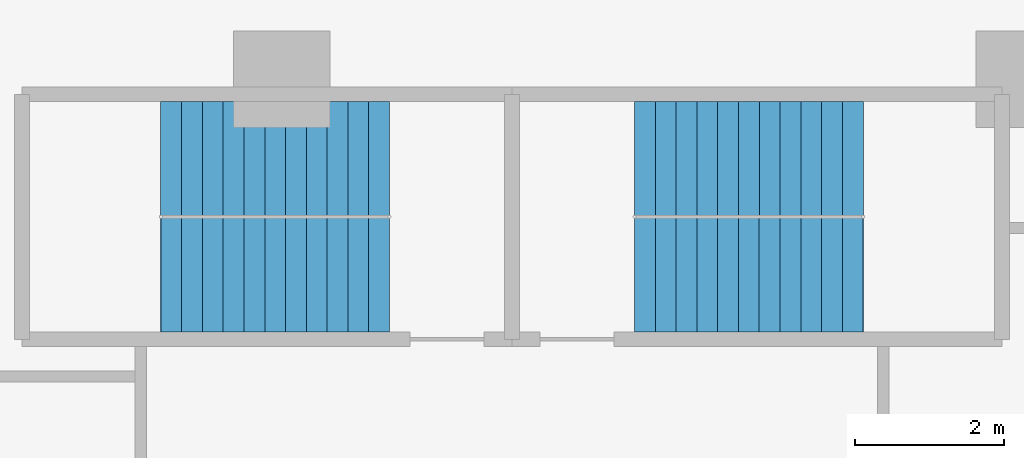
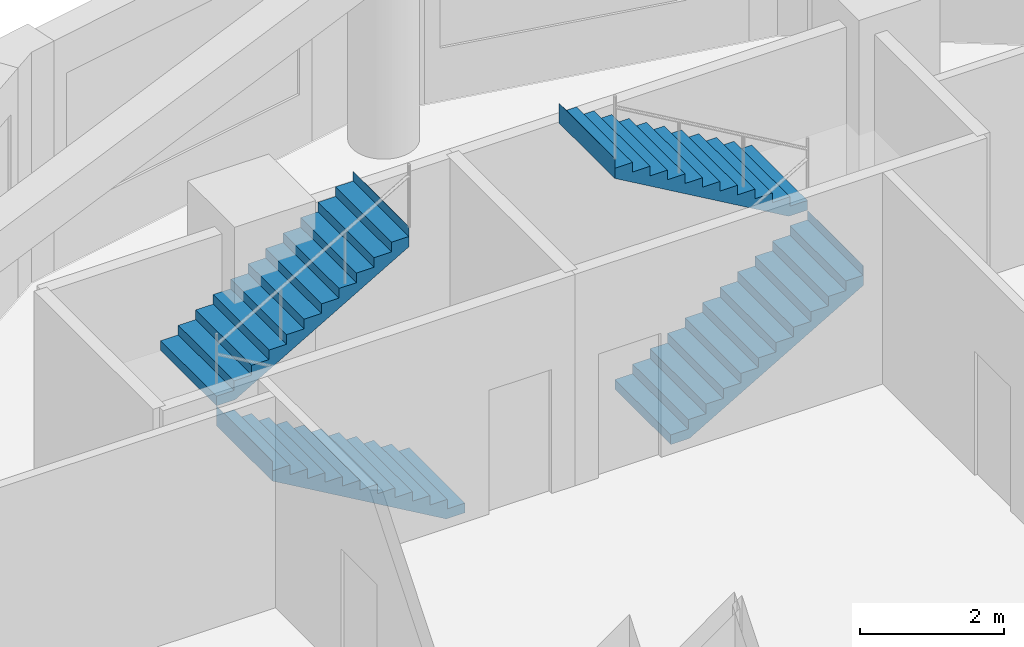
# One storey, part 7 of 9: 4 stair flights, 2 elements without a shape of their own.
"""IFC4 building model written with IfcOpenShell, lengths in metres."""

import ifcopenshell
import ifcopenshell.guid

model = None  # the IFC model being written
_history = None  # IfcOwnerHistory: only IFC2X3 demands one
_inside = {}  # id of a spatial element -> (the spatial element, [elements in it])
_under = {}  # id of a project, library or spatial element -> (it, [spatial elements below it])
_declared = {}  # id of a project -> (the project, [libraries it declares])
_typed = {}  # id of a type object -> (the type object, [elements of that type])
_made_of = {}  # id of a material, layer set ... -> (it, [elements and type objects made of it])


def new_model(schema):
    """Start an empty IFC model of exactly this schema.

    Asked for "IFC4X3", IfcOpenShell would pick the latest addendum, in which some entities
    have other attributes; the version numbers below select the first issue.
    IFC2X3 requires an IfcOwnerHistory on every rooted entity: one is made here for all.
    """
    global model, _history
    if schema == "IFC4X3":
        model = ifcopenshell.file(schema_version=(4, 3, 0, 0))
    else:
        model = ifcopenshell.file(schema=schema)
    _inside.clear()
    _under.clear()
    _declared.clear()
    _typed.clear()
    _made_of.clear()
    _history = None
    if model.schema == "IFC2X3":
        org = make("IfcOrganization", Name="unknown")
        user = make(
            "IfcPersonAndOrganization",
            ThePerson=make("IfcPerson", FamilyName="unknown"),
            TheOrganization=org,
        )
        app = make(
            "IfcApplication",
            ApplicationDeveloper=org,
            Version="unknown",
            ApplicationFullName="unknown",
            ApplicationIdentifier="unknown",
        )
        _history = make(
            "IfcOwnerHistory",
            OwningUser=user,
            OwningApplication=app,
            ChangeAction="ADDED",
            CreationDate=0,
        )
    return model


def make(cls, **values):
    """One entity of the class cls with the attributes given. An attribute that is None is left unset."""
    return model.create_entity(
        cls, **{name: value for name, value in values.items() if value is not None}
    )


def rooted(cls, **values):
    """An entity with a GlobalId (a new one), such as an element, a storey or a relation."""
    return make(cls, GlobalId=ifcopenshell.guid.new(), OwnerHistory=_history, **values)


def si_unit(unit_type, name, prefix=None):
    """IfcSIUnit, for example si_unit("LENGTHUNIT", "METRE", prefix="MILLI")."""
    return make("IfcSIUnit", UnitType=unit_type, Prefix=prefix, Name=name)


def assignment(units):
    """IfcUnitAssignment: the units of a project."""
    return None if units is None else make("IfcUnitAssignment", Units=units)


def point(xyz):
    """IfcCartesianPoint."""
    return None if xyz is None else make("IfcCartesianPoint", Coordinates=xyz)


def direction(xyz):
    """IfcDirection."""
    return None if xyz is None else make("IfcDirection", DirectionRatios=xyz)


def frame(location, z_axis=None, x_axis=None):
    """IfcAxis2Placement3D, a coordinate frame: its origin and axes. An axis left out is left unset."""
    return make(
        "IfcAxis2Placement3D",
        Location=point(location),
        Axis=direction(z_axis),
        RefDirection=direction(x_axis),
    )


def origin():
    """The frame at (0, 0, 0) with its axes left unset."""
    return frame((0.0, 0.0, 0.0))


def place(relative_to, where):
    """IfcLocalPlacement: puts the frame where relative to a parent placement (None: the world)."""
    return make(
        "IfcLocalPlacement", PlacementRelTo=relative_to, RelativePlacement=where
    )


def context(
    kind, dimensions, precision=None, world=None, true_north=None, identifier=None
):
    """IfcGeometricRepresentationContext, for example the 3D "Model" context."""
    return make(
        "IfcGeometricRepresentationContext",
        ContextIdentifier=identifier,
        ContextType=kind,
        CoordinateSpaceDimension=dimensions,
        Precision=precision,
        WorldCoordinateSystem=world,
        TrueNorth=true_north,
    )


def subcontext(parent, identifier, kind, view, scale=None):
    """IfcGeometricRepresentationSubContext, for example "Body" below "Model"."""
    return make(
        "IfcGeometricRepresentationSubContext",
        ContextIdentifier=identifier,
        ContextType=kind,
        ParentContext=parent,
        TargetScale=scale,
        TargetView=view,
    )


def project(units=None, contexts=None):
    """IfcProject with its units and contexts."""
    return rooted(
        "IfcProject",
        Name="project",
        RepresentationContexts=contexts,
        UnitsInContext=assignment(units),
    )


def spatial(cls, under=None, at=None, **own):
    """A site, building, storey or space (cls), placed at a placement, below another one or the project."""
    s = rooted(cls, ObjectPlacement=at, **own)
    if under is not None:
        _under.setdefault(under.id(), (under, []))[1].append(s)
    return s


def polyline(points):
    """IfcPolyline through the points."""
    return make("IfcPolyline", Points=[point(p) for p in points])


def outline(outer, holes=None, kind="AREA"):
    """IfcArbitraryClosedProfileDef: a profile drawn as a closed curve; with holes, ...WithVoids."""
    if holes is None:
        return make("IfcArbitraryClosedProfileDef", ProfileType=kind, OuterCurve=outer)
    return make(
        "IfcArbitraryProfileDefWithVoids",
        ProfileType=kind,
        OuterCurve=outer,
        InnerCurves=holes,
    )


def extrude(swept, where, along, depth):
    """IfcExtrudedAreaSolid: the profile swept, set in the frame where, extruded along a direction by depth."""
    return make(
        "IfcExtrudedAreaSolid",
        SweptArea=swept,
        Position=where,
        ExtrudedDirection=direction(along),
        Depth=depth,
    )


def shape(context_of_items, identifier, shape_type, items):
    """IfcShapeRepresentation: the items that make up one representation, for example the "Body"."""
    return make(
        "IfcShapeRepresentation",
        ContextOfItems=context_of_items,
        RepresentationIdentifier=identifier,
        RepresentationType=shape_type,
        Items=items,
    )


def material(Name=None, Category=None):
    """IfcMaterial."""
    return make("IfcMaterial", Name=Name, Category=Category)


def made_of(thing, what):
    """Note that an element or type object is made of a material, layer set ...; save() writes the relation."""
    if what is not None:
        _made_of.setdefault(what.id(), (what, []))[1].append(thing)
    return thing


def type_object(cls, material=None, **own):
    """A type object (cls), such as IfcWallType, which elements share."""
    return made_of(rooted(cls, **own), material)


def element(
    cls,
    number,
    at=None,
    inside=None,
    cuts=None,
    type_object=None,
    material=None,
    context=None,
    identifier="Body",
    shape_type=None,
    held_by="IfcProductDefinitionShape",
    body=None,
    shapes=None,
    **own,
):
    """One element of the class cls, such as IfcWall. Its Tag is "e" and its number.

    at: its placement. inside: the storey or other place that contains it. cuts: it is an
    opening in that element (IfcRelVoidsElement). A single representation is given by context,
    identifier, shape_type and body (its items); several are given by shapes. held_by: the class
    of the entity that holds the representations. save() writes the other relations.
    """
    e = rooted(cls, Tag="e%d" % number, ObjectPlacement=at, **own)
    if body is not None:
        shapes = [shape(context, identifier, shape_type, body)]
    if shapes is not None:
        e.Representation = make(held_by, Representations=shapes)
    if inside is not None:
        _inside.setdefault(inside.id(), (inside, []))[1].append(e)
    if cuts is not None:
        rooted(
            "IfcRelVoidsElement", RelatingBuildingElement=cuts, RelatedOpeningElement=e
        )
    if type_object is not None:
        _typed.setdefault(type_object.id(), (type_object, []))[1].append(e)
    return made_of(e, material)


def aggregate(whole, parts):
    """IfcRelAggregates: a whole, such as a stair, and the parts it consists of."""
    return rooted("IfcRelAggregates", RelatingObject=whole, RelatedObjects=parts)


def save(model, path):
    """Write the relations noted so far, then the file.

    IfcRelAggregates (storeys below a building ...), IfcRelContainedInSpatialStructure (elements
    in a storey), IfcRelDefinesByType, IfcRelAssociatesMaterial and IfcRelDeclares: one each for
    every whole, place, type object, material and project.
    """
    for whole, parts in _under.values():
        aggregate(whole, parts)
    for where, things in _inside.values():
        rooted(
            "IfcRelContainedInSpatialStructure",
            RelatedElements=things,
            RelatingStructure=where,
        )
    for kind, things in _typed.values():
        rooted("IfcRelDefinesByType", RelatedObjects=things, RelatingType=kind)
    for what, things in _made_of.values():
        rooted("IfcRelAssociatesMaterial", RelatedObjects=things, RelatingMaterial=what)
    for by, libraries in _declared.values():
        rooted("IfcRelDeclares", RelatingContext=by, RelatedDefinitions=libraries)
    model.write(path)


model = new_model("IFC4")

# Units and contexts
model_context = context("Model", 3, precision=1e-05, world=origin(), true_north=direction((0.0, 1.0)))
body_context = subcontext(model_context, "Body", "Model", "MODEL_VIEW")
ifc_project = project(units=[si_unit("LENGTHUNIT", "METRE"), si_unit("AREAUNIT", "SQUARE_METRE"), si_unit("VOLUMEUNIT", "CUBIC_METRE"), si_unit("PLANEANGLEUNIT", "RADIAN"), si_unit("MASSUNIT", "GRAM", prefix="KILO")], contexts=[model_context])

# Site, building, storey
site_placement = place(None, origin())
site = spatial("IfcSite", under=ifc_project, at=site_placement, CompositionType="ELEMENT")
building_placement = place(site_placement, origin())
building = spatial("IfcBuilding", under=site, at=building_placement, Name="Qaws Garden Tower", CompositionType="ELEMENT")
storey_placement = place(building_placement, frame((0.0, 0.0, 194.10009765625)))
storey = spatial("IfcBuildingStorey", under=building, at=storey_placement, Name="L47", CompositionType="ELEMENT", Elevation=194.10009765625)

# Stair, stair flights
ifc_material_1 = material(Name="Concrete C40", Category="concrete")
stair_type = type_object("IfcStairType", Name="Exit stair 1350", PredefinedType="HALF_TURN_STAIR", material=ifc_material_1)
placement = place(storey_placement, origin())
stair_1 = element("IfcStair", 1, at=placement, inside=storey, type_object=stair_type, Name="Stair 6", PredefinedType="HALF_TURN_STAIR")
ifc_material_2 = material(Name="Concrete C40", Category="concrete")
stair_flight_type = type_object("IfcStairFlightType", Name="Stair flight 1350", PredefinedType="STRAIGHT", material=ifc_material_2)
stair_flight_1_placement = place(storey_placement, frame((11.449951171875, 67.375, 0.0), z_axis=(0.0, 0.0, 1.0), x_axis=(-1.0, 0.0, 0.0)))
stair_flight_1 = element("IfcStairFlight", 2, at=stair_flight_1_placement, type_object=stair_flight_type, Name="ST6 flight 1", NumberOfRisers=12, NumberOfTreads=11, PredefinedType="STRAIGHT", RiserHeight=0.1625, TreadLength=0.28, context=body_context, shape_type="SweptSolid", body=[
    extrude(outline(polyline([(-0.0029296875, 0.0), (-0.0029296875, 0.16259765625), (0.0, 0.16259765625), (0.280029296875, 0.16259765625), (0.280029296875, 0.324951171875), (0.56005859375, 0.324951171875), (0.56005859375, 0.487548828125), (0.840087890625, 0.487548828125), (0.840087890625, 0.64990234375), (1.1201171875, 0.64990234375), (1.1201171875, 0.8125), (1.39990234375, 0.8125), (1.39990234375, 0.97509765625), (1.679931640625, 0.97509765625), (1.679931640625, 1.137451171875), (1.9599609375, 1.137451171875), (1.9599609375, 1.300048828125), (2.239990234375, 1.300048828125), (2.239990234375, 1.46240234375), (2.52001953125, 1.46240234375), (2.52001953125, 1.625), (2.800048828125, 1.625), (2.800048828125, 1.78759765625), (3.080078125, 1.78759765625), (3.080078125, 1.949951171875), (3.0830078125, 1.949951171875), (3.0830078125, 1.6142578125), (3.080078125, 1.6142578125), (0.298583984375, 0.0), (-0.0029296875, 0.0)])), frame((0.0, 0.77490234375, 0.0), z_axis=(0.0, -1.0, 0.0), x_axis=(1.0, 0.0, 0.0)), (0.0, 0.0, 1.0), 1.550048828125),
])
stair_flight_2_placement = place(storey_placement, frame((8.3701171875, 68.925048828125, 1.949951171875), z_axis=(0.0, 0.0, 1.0), x_axis=(1.0, 0.0, 0.0)))
stair_flight_2 = element("IfcStairFlight", 3, at=stair_flight_2_placement, type_object=stair_flight_type, Name="ST6 flight 2", NumberOfRisers=12, NumberOfTreads=11, PredefinedType="STRAIGHT", RiserHeight=0.1625, TreadLength=0.28, context=body_context, shape_type="SweptSolid", body=[
    extrude(outline(polyline([(-0.0029296875, 0.0), (-0.0029296875, 0.16259765625), (0.0, 0.16259765625), (0.280029296875, 0.16259765625), (0.280029296875, 0.324951171875), (0.56005859375, 0.324951171875), (0.56005859375, 0.487548828125), (0.840087890625, 0.487548828125), (0.840087890625, 0.64990234375), (1.1201171875, 0.64990234375), (1.1201171875, 0.8125), (1.39990234375, 0.8125), (1.39990234375, 0.97509765625), (1.679931640625, 0.97509765625), (1.679931640625, 1.137451171875), (1.9599609375, 1.137451171875), (1.9599609375, 1.300048828125), (2.239990234375, 1.300048828125), (2.239990234375, 1.46240234375), (2.52001953125, 1.46240234375), (2.52001953125, 1.625), (2.800048828125, 1.625), (2.800048828125, 1.78759765625), (3.080078125, 1.78759765625), (3.080078125, 1.949951171875), (3.0830078125, 1.949951171875), (3.0830078125, 1.6142578125), (3.080078125, 1.6142578125), (0.298583984375, 0.0), (-0.0029296875, 0.0)])), frame((0.0, 0.77490234375, 0.0), z_axis=(0.0, -1.0, 0.0), x_axis=(1.0, 0.0, 0.0)), (0.0, 0.0, 1.0), 1.550048828125),
])
aggregate(stair_1, [stair_flight_1, stair_flight_2])

stair_2 = element("IfcStair", 4, at=placement, inside=storey, type_object=stair_type, Name="Stair 7", PredefinedType="HALF_TURN_STAIR")
stair_flight_3_placement = place(storey_placement, frame((14.75, 67.375, 0.0), z_axis=(0.0, 0.0, 1.0), x_axis=(1.0, 0.0, 0.0)))
stair_flight_3 = element("IfcStairFlight", 5, at=stair_flight_3_placement, type_object=stair_flight_type, Name="ST7 flight 1", NumberOfRisers=12, NumberOfTreads=11, PredefinedType="STRAIGHT", RiserHeight=0.1625, TreadLength=0.28, context=body_context, shape_type="SweptSolid", body=[
    extrude(outline(polyline([(-0.0029296875, 0.0), (-0.0029296875, 0.16259765625), (0.0, 0.16259765625), (0.280029296875, 0.16259765625), (0.280029296875, 0.324951171875), (0.56005859375, 0.324951171875), (0.56005859375, 0.487548828125), (0.840087890625, 0.487548828125), (0.840087890625, 0.64990234375), (1.1201171875, 0.64990234375), (1.1201171875, 0.8125), (1.39990234375, 0.8125), (1.39990234375, 0.97509765625), (1.679931640625, 0.97509765625), (1.679931640625, 1.137451171875), (1.9599609375, 1.137451171875), (1.9599609375, 1.300048828125), (2.239990234375, 1.300048828125), (2.239990234375, 1.46240234375), (2.52001953125, 1.46240234375), (2.52001953125, 1.625), (2.800048828125, 1.625), (2.800048828125, 1.78759765625), (3.080078125, 1.78759765625), (3.080078125, 1.949951171875), (3.0830078125, 1.949951171875), (3.0830078125, 1.6142578125), (3.080078125, 1.6142578125), (0.298583984375, 0.0), (-0.0029296875, 0.0)])), frame((0.0, 0.77490234375, 0.0), z_axis=(0.0, -1.0, 0.0), x_axis=(1.0, 0.0, 0.0)), (0.0, 0.0, 1.0), 1.550048828125),
])
stair_flight_4_placement = place(storey_placement, frame((17.830078125, 68.925048828125, 1.949951171875), z_axis=(0.0, 0.0, 1.0), x_axis=(-1.0, 0.0, 0.0)))
stair_flight_4 = element("IfcStairFlight", 6, at=stair_flight_4_placement, type_object=stair_flight_type, Name="ST7 flight 2", NumberOfRisers=12, NumberOfTreads=11, PredefinedType="STRAIGHT", RiserHeight=0.1625, TreadLength=0.28, context=body_context, shape_type="SweptSolid", body=[
    extrude(outline(polyline([(-0.0029296875, 0.0), (-0.0029296875, 0.16259765625), (0.0, 0.16259765625), (0.280029296875, 0.16259765625), (0.280029296875, 0.324951171875), (0.56005859375, 0.324951171875), (0.56005859375, 0.487548828125), (0.840087890625, 0.487548828125), (0.840087890625, 0.64990234375), (1.1201171875, 0.64990234375), (1.1201171875, 0.8125), (1.39990234375, 0.8125), (1.39990234375, 0.97509765625), (1.679931640625, 0.97509765625), (1.679931640625, 1.137451171875), (1.9599609375, 1.137451171875), (1.9599609375, 1.300048828125), (2.239990234375, 1.300048828125), (2.239990234375, 1.46240234375), (2.52001953125, 1.46240234375), (2.52001953125, 1.625), (2.800048828125, 1.625), (2.800048828125, 1.78759765625), (3.080078125, 1.78759765625), (3.080078125, 1.949951171875), (3.0830078125, 1.949951171875), (3.0830078125, 1.6142578125), (3.080078125, 1.6142578125), (0.298583984375, 0.0), (-0.0029296875, 0.0)])), frame((0.0, 0.77490234375, 0.0), z_axis=(0.0, -1.0, 0.0), x_axis=(1.0, 0.0, 0.0)), (0.0, 0.0, 1.0), 1.550048828125),
])
aggregate(stair_2, [stair_flight_3, stair_flight_4])

save(model, "model.ifc")
